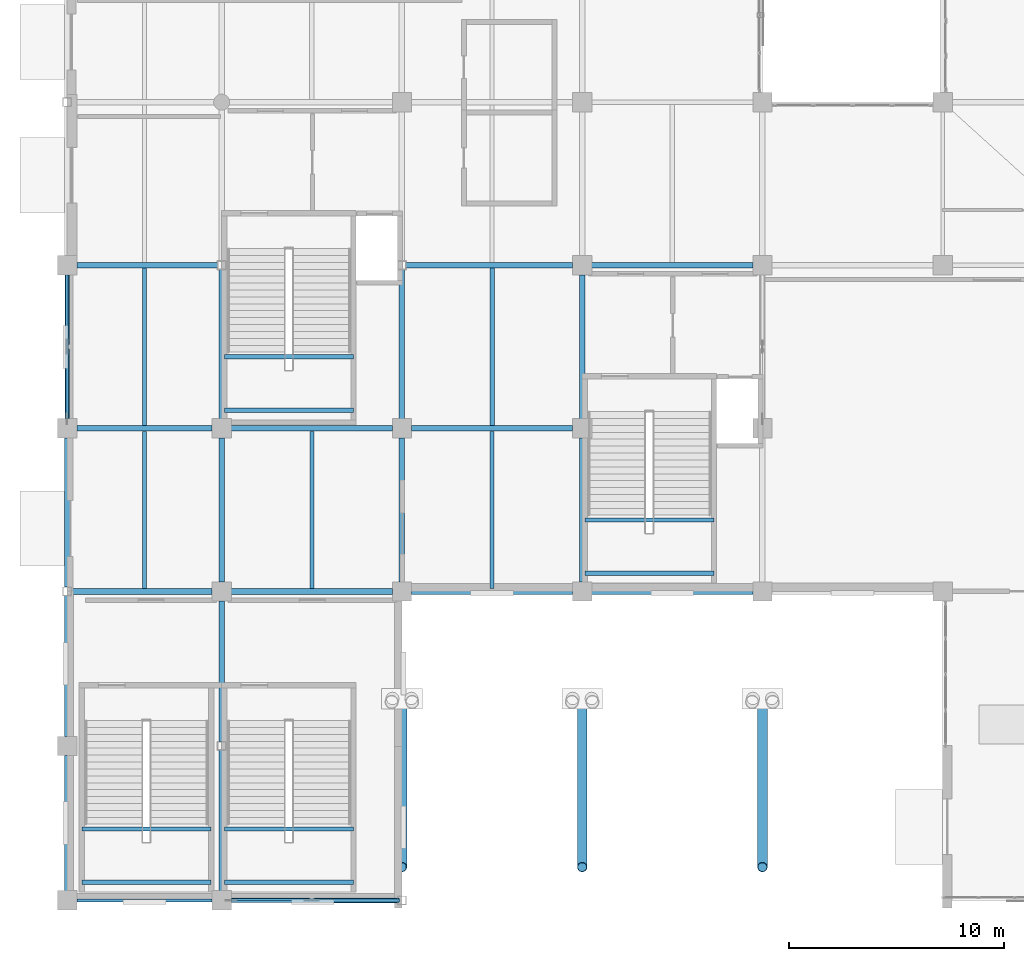
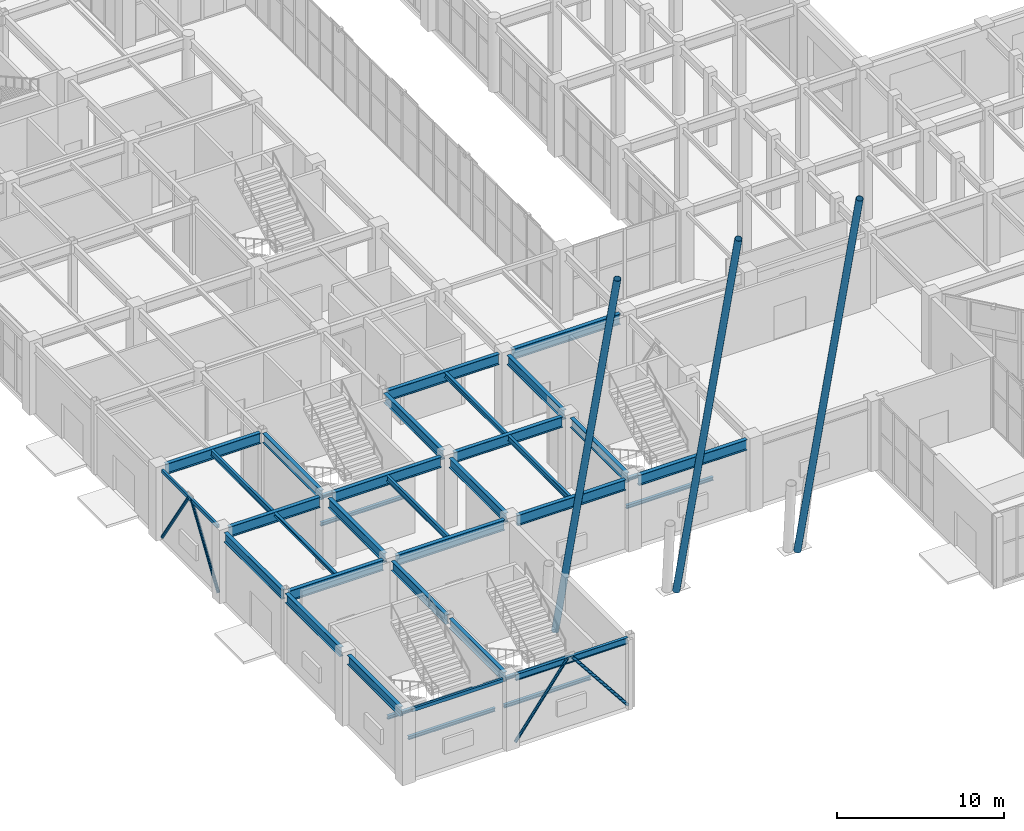
# One storey, part 9 of 139: 37 beams, 7 members.
"""IFC4 building model written with IfcOpenShell, lengths in metres."""

from ifc_helpers import new_model, si_unit, direction, frame, origin, origin_2d, place, context, subcontext, project, spatial, hollow_rectangle, hollow_circle, i_section, extrude, material, material_profile, profile_set, type_object, element, save


model = new_model("IFC4")

# Units and contexts
model_context = context("Model", 3, precision=1e-05, world=origin(), true_north=direction((0.0, 1.0)))
body_context = subcontext(model_context, "Body", "Model", "MODEL_VIEW")
ifc_project = project(units=[si_unit("LENGTHUNIT", "METRE"), si_unit("AREAUNIT", "SQUARE_METRE"), si_unit("VOLUMEUNIT", "CUBIC_METRE"), si_unit("PLANEANGLEUNIT", "RADIAN"), si_unit("MASSUNIT", "GRAM", prefix="KILO")], contexts=[model_context])

# Site, building, storey
site_placement = place(None, origin())
site = spatial("IfcSite", under=ifc_project, at=site_placement, CompositionType="ELEMENT")
building_placement = place(site_placement, origin())
building = spatial("IfcBuilding", under=site, at=building_placement, Name="Xicomal Pleat Aquarium", CompositionType="ELEMENT")
storey_placement = place(building_placement, origin())
storey = spatial("IfcBuildingStorey", under=building, at=storey_placement, Name="L01", CompositionType="ELEMENT", Elevation=0.0)

# Beams
ifc_material_1 = material(Name="Structural steel A992 Gr 50", Category="steel")
ifc_material_profile_1 = material_profile(ifc_material_1, i_section(OverallWidth=0.201904296875, OverallDepth=0.2470703125, WebThickness=0.00732421875, FlangeThickness=0.010986328125, at=origin_2d()), Name="IR 250x49")
ifc_profile_set_1 = profile_set([ifc_material_profile_1], Name="Structural steel A992 Gr 50")
beam_type_1 = type_object("IfcBeamType", Name="BM-STL-IR250", PredefinedType="JOIST", material=ifc_profile_set_1)
beam_1_placement = place(storey_placement, frame((6.60009765625, 15.3369140625, 5.0166015625), z_axis=(0.0, 1.0, 0.0), x_axis=(-1.0, 0.0, 0.0)))
element("IfcBeam", 1, at=beam_1_placement, inside=storey, type_object=beam_type_1, Name="L01 framing beam FBJ-L01-01-C-1", PredefinedType="JOIST", context=body_context, shape_type="SweptSolid", body=[
    extrude(i_section(OverallWidth=0.201904296875, OverallDepth=0.2470703125, WebThickness=0.00732421875, FlangeThickness=0.010986328125, at=origin_2d()), origin(), (0.0, 0.0, 1.0), 7.326171875),
])
for number, where, z_axis, x_axis, name in (
    (2, (10.320068359375, 23.64990234375, 2.37890625), (1.0, 0.0, 0.0), (0.0, 1.0, 0.0), "ST-01-L01 half-landing bearer beam 1"),
    (3, (10.320068359375, 26.1298828125, 2.37890625), (1.0, 0.0, 0.0), (0.0, 1.0, 0.0), "ST-01-L01 half-landing bearer beam 2"),
):
    element("IfcBeam", number, at=place(storey_placement, frame(where, z_axis=z_axis, x_axis=x_axis)), inside=storey, type_object=beam_type_1, Name=name, PredefinedType="JOIST", context=body_context, shape_type="SweptSolid", body=[
        extrude(i_section(OverallWidth=0.201904296875, OverallDepth=0.2470703125, WebThickness=0.00732421875, FlangeThickness=0.010986328125, at=origin_2d()), origin(), (0.0, 0.0, 1.0), 6.02001953125),
    ])
for number, where, z_axis, x_axis, name in (
    (4, (27.1201171875, 16.050048828125, 2.37890625), (1.0, 0.0, 0.0), (0.0, 1.0, 0.0), "ST-02-L01 half-landing bearer beam 1"),
    (5, (27.1201171875, 18.530029296875, 2.37890625), (1.0, 0.0, 0.0), (0.0, 1.0, 0.0), "ST-02-L01 half-landing bearer beam 2"),
):
    element("IfcBeam", number, at=place(storey_placement, frame(where, z_axis=z_axis, x_axis=x_axis)), inside=storey, type_object=beam_type_1, Name=name, PredefinedType="JOIST", context=body_context, shape_type="SweptSolid", body=[
        extrude(i_section(OverallWidth=0.201904296875, OverallDepth=0.2470703125, WebThickness=0.00732421875, FlangeThickness=0.010986328125, at=origin_2d()), origin(), (0.0, 0.0, 1.0), 6.019775390625),
    ])
for number, where, z_axis, x_axis, name in (
    (6, (10.320068359375, 1.64990234375, 2.37890625), (1.0, 0.0, 0.0), (0.0, 1.0, 0.0), "ST-09-L01 half-landing bearer beam 1"),
    (7, (10.320068359375, 4.1298828125, 2.37890625), (1.0, 0.0, 0.0), (0.0, 1.0, 0.0), "ST-09-L01 half-landing bearer beam 2"),
    (8, (3.679931640625, 1.64990234375, 2.37890625), (1.0, 0.0, 0.0), (0.0, 1.0, 0.0), "ST-10-L01 half-landing bearer beam 1"),
    (9, (3.679931640625, 4.1298828125, 2.37890625), (1.0, 0.0, 0.0), (0.0, 1.0, 0.0), "ST-10-L01 half-landing bearer beam 2"),
):
    element("IfcBeam", number, at=place(storey_placement, frame(where, z_axis=z_axis, x_axis=x_axis)), inside=storey, type_object=beam_type_1, Name=name, PredefinedType="JOIST", context=body_context, shape_type="SweptSolid", body=[
        extrude(i_section(OverallWidth=0.201904296875, OverallDepth=0.2470703125, WebThickness=0.00732421875, FlangeThickness=0.010986328125, at=origin_2d()), origin(), (0.0, 0.0, 1.0), 6.02001953125),
    ])
ifc_material_2 = material(Name="Structural steel A992 Gr 50", Category="steel")
ifc_material_profile_2 = material_profile(ifc_material_2, i_section(OverallWidth=0.205078125, OverallDepth=0.35400390625, WebThickness=0.009521484375, FlangeThickness=0.016845703125, at=origin_2d()), Name="IR 360x79")
ifc_profile_set_2 = profile_set([ifc_material_profile_2], Name="Structural steel A992 Gr 50")
beam_type_2 = type_object("IfcBeamType", Name="BM-STL-IR360", PredefinedType="JOIST", material=ifc_profile_set_2)
beam_2_placement = place(storey_placement, frame((22.800048828125, 22.93701171875, 4.962890625), z_axis=(0.0, 1.0, 0.0), x_axis=(-1.0, 0.0, 0.0)))
element("IfcBeam", 10, at=beam_2_placement, inside=storey, type_object=beam_type_2, Name="L01 framing beam FBJ-L01-03-D-1", PredefinedType="JOIST", context=body_context, shape_type="SweptSolid", body=[
    extrude(i_section(OverallWidth=0.205078125, OverallDepth=0.35400390625, WebThickness=0.009521484375, FlangeThickness=0.016845703125, at=origin_2d()), origin(), (0.0, 0.0, 1.0), 7.325927734375),
])
ifc_material_3 = material(Name="Structural steel A992 Gr 50", Category="steel")
ifc_material_profile_3 = material_profile(ifc_material_3, i_section(OverallWidth=0.180908203125, OverallDepth=0.4169921875, WebThickness=0.010986328125, FlangeThickness=0.018310546875, at=origin_2d()), Name="IR 410x85")
ifc_profile_set_3 = profile_set([ifc_material_profile_3], Name="Structural steel A992 Gr 50")
beam_type_3 = type_object("IfcBeamType", Name="BM-STL-IR410", PredefinedType="JOIST", material=ifc_profile_set_3)
beam_3_placement = place(storey_placement, frame((6.60009765625, 22.93701171875, 4.931396484375), z_axis=(0.0, 1.0, 0.0), x_axis=(-1.0, 0.0, 0.0)))
element("IfcBeam", 11, at=beam_3_placement, inside=storey, type_object=beam_type_3, Name="L01 framing beam FBJ-L01-01-D-1", PredefinedType="JOIST", context=body_context, shape_type="SweptSolid", body=[
    extrude(i_section(OverallWidth=0.180908203125, OverallDepth=0.4169921875, WebThickness=0.010986328125, FlangeThickness=0.018310546875, at=origin_2d()), origin(), (0.0, 0.0, 1.0), 7.325927734375),
])
for number, where, z_axis, x_axis, name in (
    (12, (14.39990234375, 15.3369140625, 4.931396484375), (0.0, 1.0, 0.0), (-1.0, 0.0, 0.0), "L01 framing beam FBJ-L01-02-C-1"),
    (13, (22.800048828125, 15.3369140625, 4.931396484375), (0.0, 1.0, 0.0), (-1.0, 0.0, 0.0), "L01 framing beam FBJ-L01-03-C-1"),
):
    element("IfcBeam", number, at=place(storey_placement, frame(where, z_axis=z_axis, x_axis=x_axis)), inside=storey, type_object=beam_type_3, Name=name, PredefinedType="JOIST", context=body_context, shape_type="SweptSolid", body=[
        extrude(i_section(OverallWidth=0.180908203125, OverallDepth=0.4169921875, WebThickness=0.010986328125, FlangeThickness=0.018310546875, at=origin_2d()), origin(), (0.0, 0.0, 1.0), 7.326171875),
    ])
ifc_material_4 = material(Name="Structural steel A992 Gr 50", Category="steel")
ifc_material_profile_4 = material_profile(ifc_material_4, i_section(OverallWidth=0.194091796875, OverallDepth=0.468994140625, WebThickness=0.0126953125, FlangeThickness=0.0205078125, at=origin_2d()), Name="IR 460x106")
ifc_profile_set_4 = profile_set([ifc_material_profile_4], Name="Structural steel A992 Gr 50")
beam_type_4 = type_object("IfcBeamType", Name="BM-STL-IR460", PredefinedType="BEAM", material=ifc_profile_set_4)
beam_4_placement = place(storey_placement, frame((10.64501953125, 0.800048828125, 4.905517578125), z_axis=(1.0, 0.0, 0.0), x_axis=(0.0, 1.0, 0.0)))
element("IfcBeam", 14, at=beam_4_placement, inside=storey, type_object=beam_type_4, Name="L01 framing beam FGX-L01-02-03-A", PredefinedType="BEAM", context=body_context, shape_type="SweptSolid", body=[
    extrude(i_section(OverallWidth=0.194091796875, OverallDepth=0.468994140625, WebThickness=0.0126953125, FlangeThickness=0.0205078125, at=origin_2d()), origin(), (0.0, 0.0, 1.0), 7.760009765625),
])
ifc_material_5 = material(Name="Structural steel A992 Gr 50", Category="steel")
ifc_material_profile_5 = material_profile(ifc_material_5, i_section(OverallWidth=0.256103515625, OverallDepth=0.693115234375, WebThickness=0.014404296875, FlangeThickness=0.023681640625, at=origin_2d()), Name="IR 690x170")
ifc_profile_set_5 = profile_set([ifc_material_profile_5], Name="Structural steel A992 Gr 50")
beam_type_5 = type_object("IfcBeamType", Name="BM-STL-IR690", PredefinedType="BEAM", material=ifc_profile_set_5)
beam_5_placement = place(storey_placement, frame((3.0, 1.2451171875, 4.79345703125), z_axis=(0.0, 1.0, 0.0), x_axis=(-1.0, 0.0, 0.0)))
element("IfcBeam", 15, at=beam_5_placement, inside=storey, type_object=beam_type_5, Name="L01 framing beam FGY-L01-01-A-B", PredefinedType="BEAM", context=body_context, shape_type="SweptSolid", body=[
    extrude(i_section(OverallWidth=0.256103515625, OverallDepth=0.693115234375, WebThickness=0.014404296875, FlangeThickness=0.023681640625, at=origin_2d()), origin(), (0.0, 0.0, 1.0), 6.309814453125),
])
beam_6_placement = place(storey_placement, frame((3.0, 8.445068359375, 4.79345703125), z_axis=(0.0, 1.0, 0.0), x_axis=(-1.0, 0.0, 0.0)))
element("IfcBeam", 16, at=beam_6_placement, inside=storey, type_object=beam_type_5, Name="L01 framing beam FGY-L01-01-B-C", PredefinedType="BEAM", context=body_context, shape_type="SweptSolid", body=[
    extrude(i_section(OverallWidth=0.256103515625, OverallDepth=0.693115234375, WebThickness=0.014404296875, FlangeThickness=0.023681640625, at=origin_2d()), origin(), (0.0, 0.0, 1.0), 6.559814453125),
])
beam_7_placement = place(storey_placement, frame((3.0, 15.39501953125, 4.79345703125), z_axis=(0.0, 1.0, 0.0), x_axis=(-1.0, 0.0, 0.0)))
element("IfcBeam", 17, at=beam_7_placement, inside=storey, type_object=beam_type_5, Name="L01 framing beam FGY-L01-01-C-D", PredefinedType="BEAM", context=body_context, shape_type="SweptSolid", body=[
    extrude(i_section(OverallWidth=0.256103515625, OverallDepth=0.693115234375, WebThickness=0.014404296875, FlangeThickness=0.023681640625, at=origin_2d()), origin(), (0.0, 0.0, 1.0), 6.9599609375),
])
for number, where, z_axis, x_axis, name in (
    (18, (10.199951171875, 1.2451171875, 4.79345703125), (0.0, 1.0, 0.0), (-1.0, 0.0, 0.0), "L01 framing beam FGY-L01-02-A-B"),
    (19, (10.199951171875, 8.195068359375, 4.79345703125), (0.0, 1.0, 0.0), (-1.0, 0.0, 0.0), "L01 framing beam FGY-L01-02-B-C"),
):
    element("IfcBeam", number, at=place(storey_placement, frame(where, z_axis=z_axis, x_axis=x_axis)), inside=storey, type_object=beam_type_5, Name=name, PredefinedType="BEAM", context=body_context, shape_type="SweptSolid", body=[
        extrude(i_section(OverallWidth=0.256103515625, OverallDepth=0.693115234375, WebThickness=0.014404296875, FlangeThickness=0.023681640625, at=origin_2d()), origin(), (0.0, 0.0, 1.0), 6.559814453125),
    ])
beam_8_placement = place(storey_placement, frame((10.199951171875, 15.64501953125, 4.79345703125), z_axis=(0.0, 1.0, 0.0), x_axis=(-1.0, 0.0, 0.0)))
element("IfcBeam", 20, at=beam_8_placement, inside=storey, type_object=beam_type_5, Name="L01 framing beam FGY-L01-02-C-D", PredefinedType="BEAM", context=body_context, shape_type="SweptSolid", body=[
    extrude(i_section(OverallWidth=0.256103515625, OverallDepth=0.693115234375, WebThickness=0.014404296875, FlangeThickness=0.023681640625, at=origin_2d()), origin(), (0.0, 0.0, 1.0), 6.7099609375),
])
beam_9_placement = place(storey_placement, frame((10.199951171875, 23.2451171875, 4.79345703125), z_axis=(0.0, 1.0, 0.0), x_axis=(-1.0, 0.0, 0.0)))
element("IfcBeam", 21, at=beam_9_placement, inside=storey, type_object=beam_type_5, Name="L01 framing beam FGY-L01-02-D-E", PredefinedType="BEAM", context=body_context, shape_type="SweptSolid", body=[
    extrude(i_section(OverallWidth=0.256103515625, OverallDepth=0.693115234375, WebThickness=0.014404296875, FlangeThickness=0.023681640625, at=origin_2d()), origin(), (0.0, 0.0, 1.0), 6.9599609375),
])
beam_10_placement = place(storey_placement, frame((18.60009765625, 15.64501953125, 4.79345703125), z_axis=(0.0, 1.0, 0.0), x_axis=(-1.0, 0.0, 0.0)))
element("IfcBeam", 22, at=beam_10_placement, inside=storey, type_object=beam_type_5, Name="L01 framing beam FGY-L01-03-C-D", PredefinedType="BEAM", context=body_context, shape_type="SweptSolid", body=[
    extrude(i_section(OverallWidth=0.256103515625, OverallDepth=0.693115234375, WebThickness=0.014404296875, FlangeThickness=0.023681640625, at=origin_2d()), origin(), (0.0, 0.0, 1.0), 6.7099609375),
])
beam_11_placement = place(storey_placement, frame((18.60009765625, 23.2451171875, 4.79345703125), z_axis=(0.0, 1.0, 0.0), x_axis=(-1.0, 0.0, 0.0)))
element("IfcBeam", 23, at=beam_11_placement, inside=storey, type_object=beam_type_5, Name="L01 framing beam FGY-L01-03-D-E", PredefinedType="BEAM", context=body_context, shape_type="SweptSolid", body=[
    extrude(i_section(OverallWidth=0.256103515625, OverallDepth=0.693115234375, WebThickness=0.014404296875, FlangeThickness=0.023681640625, at=origin_2d()), origin(), (0.0, 0.0, 1.0), 6.9599609375),
])
for number, where, z_axis, x_axis, name in (
    (24, (27.0, 15.64501953125, 4.79345703125), (0.0, 1.0, 0.0), (-1.0, 0.0, 0.0), "L01 framing beam FGY-L01-04-C-D"),
    (25, (27.0, 23.2451171875, 4.79345703125), (0.0, 1.0, 0.0), (-1.0, 0.0, 0.0), "L01 framing beam FGY-L01-04-D-E"),
):
    element("IfcBeam", number, at=place(storey_placement, frame(where, z_axis=z_axis, x_axis=x_axis)), inside=storey, type_object=beam_type_5, Name=name, PredefinedType="BEAM", context=body_context, shape_type="SweptSolid", body=[
        extrude(i_section(OverallWidth=0.256103515625, OverallDepth=0.693115234375, WebThickness=0.014404296875, FlangeThickness=0.023681640625, at=origin_2d()), origin(), (0.0, 0.0, 1.0), 6.7099609375),
    ])
ifc_material_6 = material(Name="Structural steel A992 Gr 50", Category="steel")
ifc_material_profile_6 = material_profile(ifc_material_6, i_section(OverallWidth=0.26806640625, OverallDepth=0.77001953125, WebThickness=0.015625, FlangeThickness=0.025390625, at=origin_2d()), Name="IR 760x196")
ifc_profile_set_6 = profile_set([ifc_material_profile_6], Name="Structural steel A992 Gr 50")
beam_type_6 = type_object("IfcBeamType", Name="BM-STL-IR760", PredefinedType="BEAM", material=ifc_profile_set_6)
beam_12_placement = place(storey_placement, frame((3.195068359375, 15.199951171875, 4.7548828125), z_axis=(1.0, 0.0, 0.0), x_axis=(0.0, 1.0, 0.0)))
element("IfcBeam", 26, at=beam_12_placement, inside=storey, type_object=beam_type_6, Name="L01 framing beam FGX-L01-01-02-C", PredefinedType="BEAM", context=body_context, shape_type="SweptSolid", body=[
    extrude(i_section(OverallWidth=0.26806640625, OverallDepth=0.77001953125, WebThickness=0.015625, FlangeThickness=0.025390625, at=origin_2d()), origin(), (0.0, 0.0, 1.0), 6.559814453125),
])
for number, where, z_axis, x_axis, name in (
    (27, (10.64501953125, 15.199951171875, 4.7548828125), (1.0, 0.0, 0.0), (0.0, 1.0, 0.0), "L01 framing beam FGX-L01-02-03-C"),
    (28, (19.044921875, 15.199951171875, 4.7548828125), (1.0, 0.0, 0.0), (0.0, 1.0, 0.0), "L01 framing beam FGX-L01-03-04-C"),
    (29, (27.445068359375, 15.199951171875, 4.7548828125), (1.0, 0.0, 0.0), (0.0, 1.0, 0.0), "L01 framing beam FGX-L01-04-05-C"),
):
    element("IfcBeam", number, at=place(storey_placement, frame(where, z_axis=z_axis, x_axis=x_axis)), inside=storey, type_object=beam_type_6, Name=name, PredefinedType="BEAM", context=body_context, shape_type="SweptSolid", body=[
        extrude(i_section(OverallWidth=0.26806640625, OverallDepth=0.77001953125, WebThickness=0.015625, FlangeThickness=0.025390625, at=origin_2d()), origin(), (0.0, 0.0, 1.0), 7.510009765625),
    ])
beam_13_placement = place(storey_placement, frame((3.445068359375, 22.800048828125, 4.7548828125), z_axis=(1.0, 0.0, 0.0), x_axis=(0.0, 1.0, 0.0)))
element("IfcBeam", 30, at=beam_13_placement, inside=storey, type_object=beam_type_6, Name="L01 framing beam FGX-L01-01-02-D", PredefinedType="BEAM", context=body_context, shape_type="SweptSolid", body=[
    extrude(i_section(OverallWidth=0.26806640625, OverallDepth=0.77001953125, WebThickness=0.015625, FlangeThickness=0.025390625, at=origin_2d()), origin(), (0.0, 0.0, 1.0), 6.309814453125),
])
for number, where, z_axis, x_axis, name in (
    (31, (10.64501953125, 22.800048828125, 4.7548828125), (1.0, 0.0, 0.0), (0.0, 1.0, 0.0), "L01 framing beam FGX-L01-02-03-D"),
    (32, (19.044921875, 22.800048828125, 4.7548828125), (1.0, 0.0, 0.0), (0.0, 1.0, 0.0), "L01 framing beam FGX-L01-03-04-D"),
):
    element("IfcBeam", number, at=place(storey_placement, frame(where, z_axis=z_axis, x_axis=x_axis)), inside=storey, type_object=beam_type_6, Name=name, PredefinedType="BEAM", context=body_context, shape_type="SweptSolid", body=[
        extrude(i_section(OverallWidth=0.26806640625, OverallDepth=0.77001953125, WebThickness=0.015625, FlangeThickness=0.025390625, at=origin_2d()), origin(), (0.0, 0.0, 1.0), 7.510009765625),
    ])
beam_14_placement = place(storey_placement, frame((3.445068359375, 30.39990234375, 4.7548828125), z_axis=(1.0, 0.0, 0.0), x_axis=(0.0, 1.0, 0.0)))
element("IfcBeam", 33, at=beam_14_placement, inside=storey, type_object=beam_type_6, Name="L01 framing beam FGX-L01-01-02-E", PredefinedType="BEAM", context=body_context, shape_type="SweptSolid", body=[
    extrude(i_section(OverallWidth=0.26806640625, OverallDepth=0.77001953125, WebThickness=0.015625, FlangeThickness=0.025390625, at=origin_2d()), origin(), (0.0, 0.0, 1.0), 6.559814453125),
])
beam_15_placement = place(storey_placement, frame((18.794921875, 30.39990234375, 4.7548828125), z_axis=(1.0, 0.0, 0.0), x_axis=(0.0, 1.0, 0.0)))
element("IfcBeam", 34, at=beam_15_placement, inside=storey, type_object=beam_type_6, Name="L01 framing beam FGX-L01-03-04-E", PredefinedType="BEAM", context=body_context, shape_type="SweptSolid", body=[
    extrude(i_section(OverallWidth=0.26806640625, OverallDepth=0.77001953125, WebThickness=0.015625, FlangeThickness=0.025390625, at=origin_2d()), origin(), (0.0, 0.0, 1.0), 7.760009765625),
])
beam_16_placement = place(storey_placement, frame((27.445068359375, 30.39990234375, 4.7548828125), z_axis=(1.0, 0.0, 0.0), x_axis=(0.0, 1.0, 0.0)))
element("IfcBeam", 35, at=beam_16_placement, inside=storey, type_object=beam_type_6, Name="L01 framing beam FGX-L01-04-05-E", PredefinedType="BEAM", context=body_context, shape_type="SweptSolid", body=[
    extrude(i_section(OverallWidth=0.26806640625, OverallDepth=0.77001953125, WebThickness=0.015625, FlangeThickness=0.025390625, at=origin_2d()), origin(), (0.0, 0.0, 1.0), 7.510009765625),
])
ifc_material_7 = material(Name="Structural steel A500 Gr C", Category="steel")
ifc_material_profile_7 = material_profile(ifc_material_7, hollow_rectangle(XDim=0.14990234375, YDim=0.25, WallThickness=0.010009765625, at=origin_2d()), Name="OR 250x150x10")
ifc_profile_set_7 = profile_set([ifc_material_profile_7], Name="Structural steel A500 Gr C")
beam_type_7 = type_object("IfcBeamType", Name="BM-STL-OR250", PredefinedType="SPANDREL", material=ifc_profile_set_7)
beam_17_placement = place(storey_placement, frame((3.445068359375, 0.800048828125, 5.014892578125), z_axis=(1.0, 0.0, 0.0), x_axis=(0.0, 1.0, 0.0)))
element("IfcBeam", 36, at=beam_17_placement, inside=storey, type_object=beam_type_7, Name="L01 framing beam FGX-L01-01-02-A", PredefinedType="SPANDREL", context=body_context, shape_type="SweptSolid", body=[
    extrude(hollow_rectangle(XDim=0.14990234375, YDim=0.25, WallThickness=0.010009765625, at=origin_2d()), origin(), (0.0, 0.0, 1.0), 6.309814453125),
])
beam_18_placement = place(storey_placement, frame((3.0, 23.2451171875, 5.014892578125), z_axis=(0.0, 1.0, 0.0), x_axis=(-1.0, 0.0, 0.0)))
element("IfcBeam", 37, at=beam_18_placement, inside=storey, type_object=beam_type_7, Name="L01 framing beam FGY-L01-01-D-E", PredefinedType="SPANDREL", context=body_context, shape_type="SweptSolid", body=[
    extrude(hollow_rectangle(XDim=0.14990234375, YDim=0.25, WallThickness=0.010009765625, at=origin_2d()), origin(), (0.0, 0.0, 1.0), 6.7099609375),
])

# Members
ifc_material_8 = material(Name="Structural steel A500 Gr C", Category="steel")
ifc_material_profile_8 = material_profile(ifc_material_8, hollow_circle(Radius=0.109619140625, WallThickness=0.011962890625, at=origin_2d()), Name="OC 219x12")
ifc_profile_set_8 = profile_set([ifc_material_profile_8], Name="Structural steel A500 Gr C")
member_type_1 = type_object("IfcMemberType", Name="MEM-BR-OC219", PredefinedType="BRACE", material=ifc_profile_set_8)
for number, where, z_axis, x_axis, name in (
    (38, (3.0, 23.22998046875, 0.14990234375), (0.0, 0.549162931095, 0.835715307453), (-1.0, 0.0, 0.0), "L01 chevron brace 2A"),
    (39, (3.0, 29.969970703125, 0.14990234375), (0.0, -0.549162931095, 0.835715307453), (1.0, 0.0, 0.0), "L01 chevron brace 2B"),
):
    element("IfcMember", number, at=place(storey_placement, frame(where, z_axis=z_axis, x_axis=x_axis)), inside=storey, type_object=member_type_1, Name=name, PredefinedType="BRACE", context=body_context, shape_type="SweptSolid", body=[
        extrude(hollow_circle(Radius=0.109619140625, WallThickness=0.011962890625, at=origin_2d()), origin(), (0.0, 0.0, 1.0), 5.863525390625),
    ])
member_1_placement = place(storey_placement, frame((10.6298828125, 0.800048828125, 0.14990234375), z_axis=(0.594207384303, 0.0, 0.804311870135), x_axis=(0.0, 1.0, 0.0)))
element("IfcMember", 40, at=member_1_placement, inside=storey, type_object=member_type_1, Name="L01 chevron brace 32A", PredefinedType="BRACE", context=body_context, shape_type="SweptSolid", body=[
    extrude(hollow_circle(Radius=0.109619140625, WallThickness=0.011962890625, at=origin_2d()), origin(), (0.0, 0.0, 1.0), 6.09228515625),
])
member_2_placement = place(storey_placement, frame((18.419921875, 0.800048828125, 0.14990234375), z_axis=(-0.619776126001, 0.0, 0.784778665382), x_axis=(0.0, -1.0, 0.0)))
element("IfcMember", 41, at=member_2_placement, inside=storey, type_object=member_type_1, Name="L01 chevron brace 32B", PredefinedType="BRACE", context=body_context, shape_type="SweptSolid", body=[
    extrude(hollow_circle(Radius=0.109619140625, WallThickness=0.011962890625, at=origin_2d()), origin(), (0.0, 0.0, 1.0), 6.243896484375),
])
ifc_material_9 = material(Name="Architectural steel ASTM A572 Gr 50", Category="steel")
ifc_material_profile_9 = material_profile(ifc_material_9, hollow_circle(Radius=0.228515625, WallThickness=0.02001953125, at=origin_2d()), Name="OC 457x20")
ifc_profile_set_9 = profile_set([ifc_material_profile_9], Name="Architectural steel ASTM A572 Gr 50")
member_type_2 = type_object("IfcMemberType", Name="MEM-ST-OC457", PredefinedType="STRUT", material=ifc_profile_set_9)
for number, where, z_axis, x_axis, name in (
    (42, (18.60009765625, 9.820068359375, 0.06005859375), (0.0, -0.23924827217, 0.97095842561), (1.0, 0.0, 0.0), "Entrance pavilion raking tip strut 03"),
    (43, (27.0, 9.820068359375, 0.06005859375), (0.0, -0.23924827217, 0.97095842561), (1.0, 0.0, 0.0), "Entrance pavilion raking tip strut 04"),
    (44, (35.39990234375, 9.820068359375, 0.06005859375), (0.0, -0.23924827217, 0.97095842561), (1.0, 0.0, 0.0), "Entrance pavilion raking tip strut 05"),
):
    element("IfcMember", number, at=place(storey_placement, frame(where, z_axis=z_axis, x_axis=x_axis)), inside=storey, type_object=member_type_2, Name=name, PredefinedType="STRUT", context=body_context, shape_type="SweptSolid", body=[
        extrude(hollow_circle(Radius=0.228515625, WallThickness=0.02001953125, at=origin_2d()), origin(), (0.0, 0.0, 1.0), 31.22265625),
    ])

save(model, "model.ifc")
